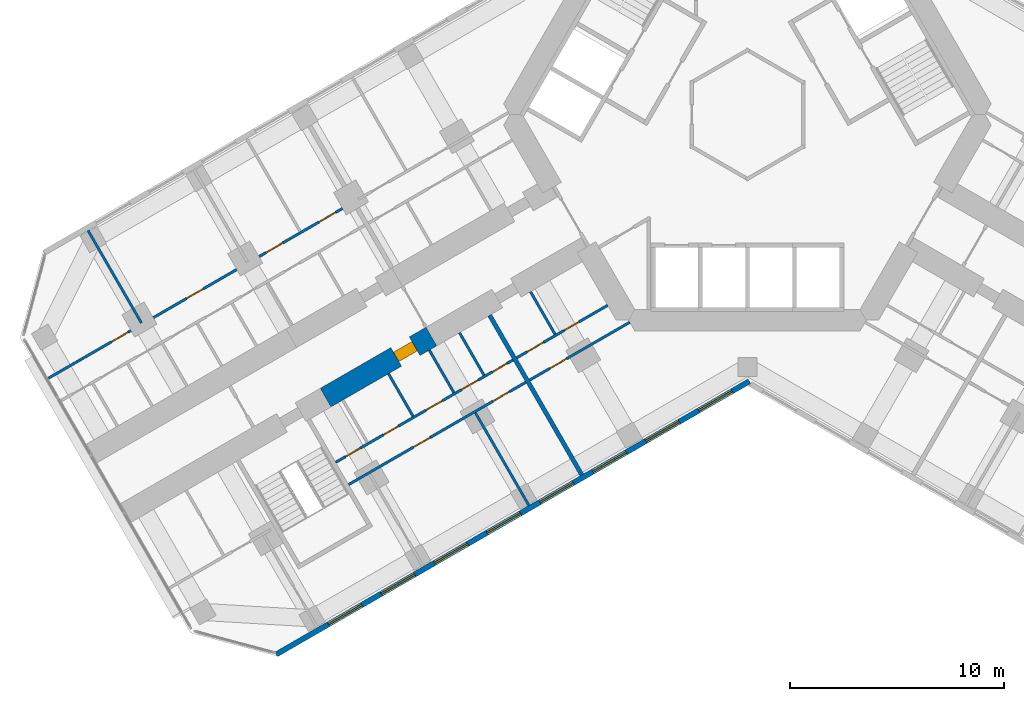
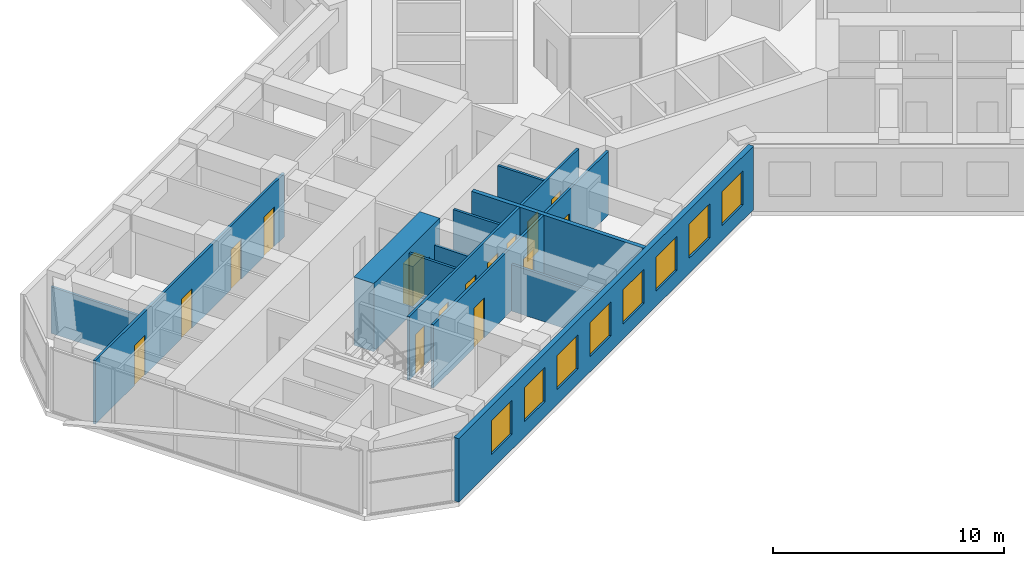
# One storey, part 11 of 21: 15 doors, 14 walls, 8 windows, 23 openings.
"""IFC4 building model written with IfcOpenShell, lengths in metres."""

from ifc_helpers import new_model, si_unit, direction, frame, frame_2d, origin, place, context, subcontext, project, spatial, rectangle, extrude, material, layer, layer_set, type_object, element, fill, save


model = new_model("IFC4")

# Units and contexts
model_context = context("Model", 3, precision=1e-05, world=origin(), true_north=direction((0.0, 1.0)))
body_context = subcontext(model_context, "Body", "Model", "MODEL_VIEW")
ifc_project = project(units=[si_unit("LENGTHUNIT", "METRE"), si_unit("AREAUNIT", "SQUARE_METRE"), si_unit("VOLUMEUNIT", "CUBIC_METRE"), si_unit("PLANEANGLEUNIT", "RADIAN"), si_unit("MASSUNIT", "GRAM", prefix="KILO")], contexts=[model_context])

# Site, building, storey
site_placement = place(None, origin())
site = spatial("IfcSite", under=ifc_project, at=site_placement, CompositionType="ELEMENT")
building_placement = place(site_placement, origin())
building = spatial("IfcBuilding", under=site, at=building_placement, Name="Kosmar Iwan School Tower", CompositionType="ELEMENT")
storey_placement = place(building_placement, frame((0.0, 0.0, 84.39990234375)))
storey = spatial("IfcBuildingStorey", under=building, at=storey_placement, Name="L20", CompositionType="ELEMENT", Elevation=84.39990234375)

# Wall, opening, door
ifc_material_1 = material(Name="Concrete C50/60", Category="concrete")
ifc_layer_1 = layer(ifc_material_1, 1.0)
ifc_layer_set_1 = layer_set([ifc_layer_1], Name="Corridor buttress wall 1000")
wall_type_1 = type_object("IfcWallType", Name="Corridor buttress wall 1000", PredefinedType="SHEAR", material=ifc_layer_set_1)
wall_1_placement = place(storey_placement, frame((-14.7451171875, -10.360595703125, 0.0), z_axis=(0.0, 0.0, 1.0), x_axis=(-0.866015111908, -0.50001782563, 0.0)))
wall_1 = element("IfcWall", 1, at=wall_1_placement, inside=storey, type_object=wall_type_1, Name="Corridor wall BL bay 2", PredefinedType="SHEAR", context=body_context, shape_type="SweptSolid", body=[
    extrude(rectangle(XDim=5.699951171875, YDim=1.0, at=frame_2d((2.85009765625, 0.0))), origin(), (0.0, 0.0, 1.0), 3.60009765625),
])
opening_1_placement = place(wall_1_placement, frame((0.89990234375, 0.0, 0.0)))
opening_1 = element("IfcOpeningElement", 2, at=opening_1_placement, cuts=wall_1, Name="Opening D1", PredefinedType="OPENING", context=body_context, shape_type="SweptSolid", body=[
    extrude(rectangle(XDim=1.0, YDim=2.10009765625, at=frame_2d((0.5, 1.050048828125))), frame((0.0, 0.511962890625, 0.0), z_axis=(0.0, -1.0, 0.0), x_axis=(1.0, 0.0, 0.0)), (0.0, 0.0, 1.0), 1.02392578125),
])
ifc_material_2 = material(Name="Timber fire door in steel frame", Category="steel")
door_type_1 = type_object("IfcDoorType", Name="Flat entrance door 1000x2100", OperationType="SINGLE_SWING_LEFT", PredefinedType="DOOR", material=ifc_material_2)
door_1_placement = place(opening_1_placement, origin())
door_1 = element("IfcDoor", 3, at=door_1_placement, inside=storey, type_object=door_type_1, Name="Flat L20-BL2 entrance door", OperationType="SINGLE_SWING_LEFT", OverallHeight=2.10009765625, OverallWidth=1.0, PredefinedType="DOOR", context=body_context, shape_type="SweptSolid", body=[
    extrude(rectangle(XDim=1.0, YDim=2.10009765625, at=frame_2d((0.5, 1.050048828125))), frame((0.0, 0.25, 0.0), z_axis=(0.0, -1.0, 0.0), x_axis=(1.0, 0.0, 0.0)), (0.0, 0.0, 1.0), 0.5),
])
fill(opening_1, door_1)

# Wall, openings, doors
ifc_material_3 = material(Name="Gypsum board on steel studs", Category="steel")
ifc_layer_2 = layer(ifc_material_3, 0.1201171875)
ifc_layer_set_2 = layer_set([ifc_layer_2], Name="Dwelling partition 120")
wall_type_2 = type_object("IfcWallType", Name="Dwelling partition 120", PredefinedType="PARTITIONING", material=ifc_layer_set_2)
wall_2_placement = place(storey_placement, frame((-6.521728515625, -8.90380859375, 0.0), z_axis=(0.0, 0.0, 1.0), x_axis=(-0.866036242063, -0.49998122708, 0.0)))
wall_2 = element("IfcWall", 4, at=wall_2_placement, inside=storey, type_object=wall_type_2, Name="Partition L20-BL1-W1", PredefinedType="PARTITIONING", context=body_context, shape_type="SweptSolid", body=[
    extrude(rectangle(XDim=4.900146484375, YDim=0.1201171875, at=frame_2d((2.4501953125, 0.0))), origin(), (0.0, 0.0, 1.0), 3.35009765625),
])
opening_2_placement = place(wall_2_placement, frame((1.550048828125, 0.0, 0.0)))
opening_2 = element("IfcOpeningElement", 5, at=opening_2_placement, cuts=wall_2, Name="Opening D3", PredefinedType="OPENING", context=body_context, shape_type="SweptSolid", body=[
    extrude(rectangle(XDim=0.800048828125, YDim=2.10009765625, at=frame_2d((0.39990234375, 1.050048828125))), frame((0.0, 0.072021484375, 0.0), z_axis=(0.0, -1.0, 0.0), x_axis=(1.0, 0.0, 0.0)), (0.0, 0.0, 1.0), 0.14404296875),
])
opening_3_placement = place(wall_2_placement, frame((3.449951171875, 0.0, 0.0)))
opening_3 = element("IfcOpeningElement", 6, at=opening_3_placement, cuts=wall_2, Name="Opening D2", PredefinedType="OPENING", context=body_context, shape_type="SweptSolid", body=[
    extrude(rectangle(XDim=0.89990234375, YDim=2.10009765625, at=frame_2d((0.449951171875, 1.050048828125))), frame((0.0, 0.072021484375, 0.0), z_axis=(0.0, -1.0, 0.0), x_axis=(1.0, 0.0, 0.0)), (0.0, 0.0, 1.0), 0.14404296875),
])
ifc_material_4 = material(Name="Timber door in timber frame", Category="wood")
door_type_2 = type_object("IfcDoorType", Name="Internal door 900x2100", OperationType="SINGLE_SWING_LEFT", PredefinedType="DOOR", material=ifc_material_4)
door_2_placement = place(opening_3_placement, origin())
door_2 = element("IfcDoor", 7, at=door_2_placement, inside=storey, type_object=door_type_2, Name="Entrance hall door L20-BL1-S2", OperationType="SINGLE_SWING_RIGHT", OverallHeight=2.10009765625, OverallWidth=0.89990234375, PredefinedType="DOOR", context=body_context, shape_type="SweptSolid", body=[
    extrude(rectangle(XDim=0.89990234375, YDim=2.10009765625, at=frame_2d((0.449951171875, 1.050048828125))), frame((0.0, 0.02490234375, 0.0), z_axis=(0.0, -1.0, 0.0), x_axis=(1.0, 0.0, 0.0)), (0.0, 0.0, 1.0), 0.050048828125),
])
fill(opening_3, door_2)
ifc_material_5 = material(Name="Timber door in timber frame", Category="wood")
door_type_3 = type_object("IfcDoorType", Name="Sanitary room door 800x2100", OperationType="SINGLE_SWING_LEFT", PredefinedType="DOOR", material=ifc_material_5)
door_3_placement = place(opening_2_placement, origin())
door_3 = element("IfcDoor", 8, at=door_3_placement, inside=storey, type_object=door_type_3, Name="Bathroom door L20-BL1-S1", OperationType="SINGLE_SWING_LEFT", OverallHeight=2.10009765625, OverallWidth=0.800048828125, PredefinedType="DOOR", context=body_context, shape_type="SweptSolid", body=[
    extrude(rectangle(XDim=0.800048828125, YDim=2.10009765625, at=frame_2d((0.39990234375, 1.050048828125))), frame((0.0, 0.02490234375, 0.0), z_axis=(0.0, -1.0, 0.0), x_axis=(1.0, 0.0, 0.0)), (0.0, 0.0, 1.0), 0.050048828125),
])
fill(opening_2, door_3)

# Wall, opening, door
wall_3_placement = place(storey_placement, frame((-5.48876953125, -9.693115234375, 0.0), z_axis=(0.0, 0.0, 1.0), x_axis=(-0.866028230842, -0.499995103361, 0.0)))
wall_3 = element("IfcWall", 9, at=wall_3_placement, inside=storey, type_object=wall_type_2, Name="Partition L20-BL1-W2", PredefinedType="PARTITIONING", context=body_context, shape_type="SweptSolid", body=[
    extrude(rectangle(XDim=5.39990234375, YDim=0.1201171875, at=frame_2d((2.699951171875, 0.0))), origin(), (0.0, 0.0, 1.0), 3.35009765625),
])
opening_4_placement = place(wall_3_placement, frame((3.39990234375, 0.0, 0.0)))
opening_4 = element("IfcOpeningElement", 10, at=opening_4_placement, cuts=wall_3, Name="Opening D2", PredefinedType="OPENING", context=body_context, shape_type="SweptSolid", body=[
    extrude(rectangle(XDim=0.89990234375, YDim=2.10009765625, at=frame_2d((0.449951171875, 1.050048828125))), frame((0.0, 0.072021484375, 0.0), z_axis=(0.0, -1.0, 0.0), x_axis=(1.0, 0.0, 0.0)), (0.0, 0.0, 1.0), 0.14404296875),
])
door_4_placement = place(opening_4_placement, origin())
door_4 = element("IfcDoor", 11, at=door_4_placement, inside=storey, type_object=door_type_2, Name="Studio living room and kitchen door L20-BL1-F1", OperationType="SINGLE_SWING_RIGHT", OverallHeight=2.10009765625, OverallWidth=0.89990234375, PredefinedType="DOOR", context=body_context, shape_type="SweptSolid", body=[
    extrude(rectangle(XDim=0.89990234375, YDim=2.10009765625, at=frame_2d((0.449951171875, 1.050048828125))), frame((0.0, 0.02490234375, 0.0), z_axis=(0.0, -1.0, 0.0), x_axis=(1.0, 0.0, 0.0)), (0.0, 0.0, 1.0), 0.050048828125),
])
fill(opening_4, door_4)

# Wall
wall_4_placement = place(storey_placement, frame((-10.121826171875, -8.2685546875, 0.0), z_axis=(0.0, 0.0, 1.0), x_axis=(0.499968531483, -0.866043571379, 0.0)))
element("IfcWall", 12, at=wall_4_placement, inside=storey, type_object=wall_type_2, Name="Partition L20-BL1-Y1", PredefinedType="PARTITIONING", context=body_context, shape_type="SweptSolid", body=[
    extrude(rectangle(XDim=2.290283203125, YDim=0.1201171875, at=frame_2d((1.14501953125, 0.0))), origin(), (0.0, 0.0, 1.0), 3.35009765625),
])

# Wall, openings, doors
wall_5_placement = place(storey_placement, frame((-10.9384765625, -11.453857421875, 0.0), z_axis=(0.0, 0.0, 1.0), x_axis=(-0.866035311659, -0.499982838664, 0.0)))
wall_5 = element("IfcWall", 13, at=wall_5_placement, inside=storey, type_object=wall_type_2, Name="Partition L20-BL2-W1", PredefinedType="PARTITIONING", context=body_context, shape_type="SweptSolid", body=[
    extrude(rectangle(XDim=9.550048828125, YDim=0.1201171875, at=frame_2d((4.77490234375, 0.0))), origin(), (0.0, 0.0, 1.0), 3.35009765625),
])
opening_5_placement = place(wall_5_placement, frame((0.3125, 0.0, 0.0)))
opening_5 = element("IfcOpeningElement", 14, at=opening_5_placement, cuts=wall_5, Name="Opening D3", PredefinedType="OPENING", context=body_context, shape_type="SweptSolid", body=[
    extrude(rectangle(XDim=0.800048828125, YDim=2.10009765625, at=frame_2d((0.39990234375, 1.050048828125))), frame((0.0, 0.072021484375, 0.0), z_axis=(0.0, -1.0, 0.0), x_axis=(1.0, 0.0, 0.0)), (0.0, 0.0, 1.0), 0.14404296875),
])
opening_6_placement = place(wall_5_placement, frame((1.887451171875, 0.0, 0.0)))
opening_6 = element("IfcOpeningElement", 15, at=opening_6_placement, cuts=wall_5, Name="Opening D2", PredefinedType="OPENING", context=body_context, shape_type="SweptSolid", body=[
    extrude(rectangle(XDim=0.89990234375, YDim=2.10009765625, at=frame_2d((0.449951171875, 1.050048828125))), frame((0.0, 0.072021484375, 0.0), z_axis=(0.0, -1.0, 0.0), x_axis=(1.0, 0.0, 0.0)), (0.0, 0.0, 1.0), 0.14404296875),
])
opening_7_placement = place(wall_5_placement, frame((3.800048828125, 0.0, 0.0)))
opening_7 = element("IfcOpeningElement", 16, at=opening_7_placement, cuts=wall_5, Name="Opening D2", PredefinedType="OPENING", context=body_context, shape_type="SweptSolid", body=[
    extrude(rectangle(XDim=0.89990234375, YDim=2.10009765625, at=frame_2d((0.449951171875, 1.050048828125))), frame((0.0, 0.072021484375, 0.0), z_axis=(0.0, -1.0, 0.0), x_axis=(1.0, 0.0, 0.0)), (0.0, 0.0, 1.0), 0.14404296875),
])
opening_8_placement = place(wall_5_placement, frame((6.179931640625, 0.0, 0.0)))
opening_8 = element("IfcOpeningElement", 17, at=opening_8_placement, cuts=wall_5, Name="Opening D3", PredefinedType="OPENING", context=body_context, shape_type="SweptSolid", body=[
    extrude(rectangle(XDim=0.800048828125, YDim=2.10009765625, at=frame_2d((0.39990234375, 1.050048828125))), frame((0.0, 0.072021484375, 0.0), z_axis=(0.0, -1.0, 0.0), x_axis=(1.0, 0.0, 0.0)), (0.0, 0.0, 1.0), 0.14404296875),
])
opening_9_placement = place(wall_5_placement, frame((8.22998046875, 0.0, 0.0)))
opening_9 = element("IfcOpeningElement", 18, at=opening_9_placement, cuts=wall_5, Name="Opening D3", PredefinedType="OPENING", context=body_context, shape_type="SweptSolid", body=[
    extrude(rectangle(XDim=0.800048828125, YDim=2.10009765625, at=frame_2d((0.39990234375, 1.050048828125))), frame((0.0, 0.072021484375, 0.0), z_axis=(0.0, -1.0, 0.0), x_axis=(1.0, 0.0, 0.0)), (0.0, 0.0, 1.0), 0.14404296875),
])
door_5_placement = place(opening_6_placement, frame((0.89990234375, 0.0, 0.0), z_axis=(0.0, 0.0, 1.0), x_axis=(-1.0, 0.0, 0.0)))
door_5 = element("IfcDoor", 19, at=door_5_placement, inside=storey, type_object=door_type_2, Name="Pantry door L20-BL2-S2", OperationType="SINGLE_SWING_RIGHT", OverallHeight=2.10009765625, OverallWidth=0.89990234375, PredefinedType="DOOR", context=body_context, shape_type="SweptSolid", body=[
    extrude(rectangle(XDim=0.89990234375, YDim=2.10009765625, at=frame_2d((0.449951171875, 1.050048828125))), frame((0.0, 0.02490234375, 0.0), z_axis=(0.0, -1.0, 0.0), x_axis=(1.0, 0.0, 0.0)), (0.0, 0.0, 1.0), 0.050048828125),
])
fill(opening_6, door_5)
door_6_placement = place(opening_7_placement, origin())
door_6 = element("IfcDoor", 20, at=door_6_placement, inside=storey, type_object=door_type_2, Name="Entrance hall door L20-BL2-S3", OperationType="SINGLE_SWING_LEFT", OverallHeight=2.10009765625, OverallWidth=0.89990234375, PredefinedType="DOOR", context=body_context, shape_type="SweptSolid", body=[
    extrude(rectangle(XDim=0.89990234375, YDim=2.10009765625, at=frame_2d((0.449951171875, 1.050048828125))), frame((0.0, 0.02490234375, 0.0), z_axis=(0.0, -1.0, 0.0), x_axis=(1.0, 0.0, 0.0)), (0.0, 0.0, 1.0), 0.050048828125),
])
fill(opening_7, door_6)
door_7_placement = place(opening_5_placement, origin())
door_7 = element("IfcDoor", 21, at=door_7_placement, inside=storey, type_object=door_type_3, Name="Store door L20-BL2-S1", OperationType="SINGLE_SWING_LEFT", OverallHeight=2.10009765625, OverallWidth=0.800048828125, PredefinedType="DOOR", context=body_context, shape_type="SweptSolid", body=[
    extrude(rectangle(XDim=0.800048828125, YDim=2.10009765625, at=frame_2d((0.39990234375, 1.050048828125))), frame((0.0, 0.02490234375, 0.0), z_axis=(0.0, -1.0, 0.0), x_axis=(1.0, 0.0, 0.0)), (0.0, 0.0, 1.0), 0.050048828125),
])
fill(opening_5, door_7)
door_8_placement = place(opening_8_placement, origin())
door_8 = element("IfcDoor", 22, at=door_8_placement, inside=storey, type_object=door_type_3, Name="Bathroom door L20-BL2-S4", OperationType="SINGLE_SWING_RIGHT", OverallHeight=2.10009765625, OverallWidth=0.800048828125, PredefinedType="DOOR", context=body_context, shape_type="SweptSolid", body=[
    extrude(rectangle(XDim=0.800048828125, YDim=2.10009765625, at=frame_2d((0.39990234375, 1.050048828125))), frame((0.0, 0.02490234375, 0.0), z_axis=(0.0, -1.0, 0.0), x_axis=(1.0, 0.0, 0.0)), (0.0, 0.0, 1.0), 0.050048828125),
])
fill(opening_8, door_8)
door_9_placement = place(opening_9_placement, origin())
door_9 = element("IfcDoor", 23, at=door_9_placement, inside=storey, type_object=door_type_3, Name="WC door L20-BL2-S5", OperationType="SINGLE_SWING_RIGHT", OverallHeight=2.10009765625, OverallWidth=0.800048828125, PredefinedType="DOOR", context=body_context, shape_type="SweptSolid", body=[
    extrude(rectangle(XDim=0.800048828125, YDim=2.10009765625, at=frame_2d((0.39990234375, 1.050048828125))), frame((0.0, 0.02490234375, 0.0), z_axis=(0.0, -1.0, 0.0), x_axis=(1.0, 0.0, 0.0)), (0.0, 0.0, 1.0), 0.050048828125),
])
fill(opening_9, door_9)

wall_6_placement = place(storey_placement, frame((-10.338623046875, -12.492919921875, 0.0), z_axis=(0.0, 0.0, 1.0), x_axis=(-0.866017851049, -0.500013081493, 0.0)))
wall_6 = element("IfcWall", 24, at=wall_6_placement, inside=storey, type_object=wall_type_2, Name="Partition L20-BL2-W2", PredefinedType="PARTITIONING", context=body_context, shape_type="SweptSolid", body=[
    extrude(rectangle(XDim=9.550048828125, YDim=0.1201171875, at=frame_2d((4.77490234375, 0.0))), origin(), (0.0, 0.0, 1.0), 3.35009765625),
])
opening_10_placement = place(wall_6_placement, frame((0.875, 0.0, 0.0)))
opening_10 = element("IfcOpeningElement", 25, at=opening_10_placement, cuts=wall_6, Name="Opening D2", PredefinedType="OPENING", context=body_context, shape_type="SweptSolid", body=[
    extrude(rectangle(XDim=0.89990234375, YDim=2.10009765625, at=frame_2d((0.449951171875, 1.050048828125))), frame((0.0, 0.072021484375, 0.0), z_axis=(0.0, -1.0, 0.0), x_axis=(1.0, 0.0, 0.0)), (0.0, 0.0, 1.0), 0.14404296875),
])
opening_11_placement = place(wall_6_placement, frame((5.14990234375, 0.0, 0.0)))
opening_11 = element("IfcOpeningElement", 26, at=opening_11_placement, cuts=wall_6, Name="Opening D2", PredefinedType="OPENING", context=body_context, shape_type="SweptSolid", body=[
    extrude(rectangle(XDim=0.89990234375, YDim=2.10009765625, at=frame_2d((0.449951171875, 1.050048828125))), frame((0.0, 0.072021484375, 0.0), z_axis=(0.0, -1.0, 0.0), x_axis=(1.0, 0.0, 0.0)), (0.0, 0.0, 1.0), 0.14404296875),
])
door_10_placement = place(opening_10_placement, origin())
door_10 = element("IfcDoor", 27, at=door_10_placement, inside=storey, type_object=door_type_2, Name="Bedroom 1 door L20-BL2-F1", OperationType="SINGLE_SWING_LEFT", OverallHeight=2.10009765625, OverallWidth=0.89990234375, PredefinedType="DOOR", context=body_context, shape_type="SweptSolid", body=[
    extrude(rectangle(XDim=0.89990234375, YDim=2.10009765625, at=frame_2d((0.449951171875, 1.050048828125))), frame((0.0, 0.02490234375, 0.0), z_axis=(0.0, -1.0, 0.0), x_axis=(1.0, 0.0, 0.0)), (0.0, 0.0, 1.0), 0.050048828125),
])
fill(opening_10, door_10)
door_11_placement = place(opening_11_placement, origin())
door_11 = element("IfcDoor", 28, at=door_11_placement, inside=storey, type_object=door_type_2, Name="Living room and kitchen door L20-BL2-F2", OperationType="SINGLE_SWING_RIGHT", OverallHeight=2.10009765625, OverallWidth=0.89990234375, PredefinedType="DOOR", context=body_context, shape_type="SweptSolid", body=[
    extrude(rectangle(XDim=0.89990234375, YDim=2.10009765625, at=frame_2d((0.449951171875, 1.050048828125))), frame((0.0, 0.02490234375, 0.0), z_axis=(0.0, -1.0, 0.0), x_axis=(1.0, 0.0, 0.0)), (0.0, 0.0, 1.0), 0.050048828125),
])
fill(opening_11, door_11)

# Walls
wall_7_placement = place(storey_placement, frame((-12.690185546875, -13.919921875, 0.0), z_axis=(0.0, 0.0, 1.0), x_axis=(0.500011847778, -0.866018563358, 0.0)))
element("IfcWall", 29, at=wall_7_placement, inside=storey, type_object=wall_type_2, Name="Partition L20-BL2-X1", PredefinedType="PARTITIONING", context=body_context, shape_type="SweptSolid", body=[
    extrude(rectangle(XDim=4.990234375, YDim=0.1201171875, at=frame_2d((2.4951171875, 0.0))), origin(), (0.0, 0.0, 1.0), 2.4501953125),
])
wall_8_placement = place(storey_placement, frame((-13.434326171875, -10.18115234375, 0.0), z_axis=(0.0, 0.0, 1.0), x_axis=(0.500014693593, -0.866016920268, 0.0)))
element("IfcWall", 30, at=wall_8_placement, inside=storey, type_object=wall_type_2, Name="Partition L20-BL2-Y1", PredefinedType="PARTITIONING", context=body_context, shape_type="SweptSolid", body=[
    extrude(rectangle(XDim=2.2900390625, YDim=0.1201171875, at=frame_2d((1.14501953125, 0.0))), origin(), (0.0, 0.0, 1.0), 3.35009765625),
])
wall_9_placement = place(storey_placement, frame((-14.841552734375, -10.99365234375, 0.0), z_axis=(0.0, 0.0, 1.0), x_axis=(0.500014693593, -0.866016920268, 0.0)))
element("IfcWall", 31, at=wall_9_placement, inside=storey, type_object=wall_type_2, Name="Partition L20-BL2-Y2", PredefinedType="PARTITIONING", context=body_context, shape_type="SweptSolid", body=[
    extrude(rectangle(XDim=2.2900390625, YDim=0.1201171875, at=frame_2d((1.14501953125, 0.0))), origin(), (0.0, 0.0, 1.0), 2.4501953125),
])
wall_10_placement = place(storey_placement, frame((-16.746826171875, -12.09375, 0.0), z_axis=(0.0, 0.0, 1.0), x_axis=(0.500014693593, -0.866016920268, 0.0)))
element("IfcWall", 32, at=wall_10_placement, inside=storey, type_object=wall_type_2, Name="Partition L20-BL2-Y3", PredefinedType="PARTITIONING", context=body_context, shape_type="SweptSolid", body=[
    extrude(rectangle(XDim=2.2900390625, YDim=0.1201171875, at=frame_2d((1.14501953125, 0.0))), origin(), (0.0, 0.0, 1.0), 3.35009765625),
])

# Wall, openings, doors
wall_11_placement = place(storey_placement, frame((-18.456787109375, -4.1318359375, 0.0), z_axis=(0.0, 0.0, 1.0), x_axis=(-0.866023907196, -0.500002592159, 0.0)))
wall_11 = element("IfcWall", 33, at=wall_11_placement, inside=storey, type_object=wall_type_2, Name="Partition L20-BR2-W2", PredefinedType="PARTITIONING", context=body_context, shape_type="SweptSolid", body=[
    extrude(rectangle(XDim=16.34521484375, YDim=0.1201171875, at=frame_2d((8.172607421875, 0.0))), origin(), (0.0, 0.0, 1.0), 3.35009765625),
])
opening_12_placement = place(wall_11_placement, frame((0.875, 0.0, 0.0)))
opening_12 = element("IfcOpeningElement", 34, at=opening_12_placement, cuts=wall_11, Name="Opening D2", PredefinedType="OPENING", context=body_context, shape_type="SweptSolid", body=[
    extrude(rectangle(XDim=0.89990234375, YDim=2.10009765625, at=frame_2d((0.449951171875, 1.050048828125))), frame((0.0, 0.072021484375, 0.0), z_axis=(0.0, -1.0, 0.0), x_axis=(1.0, 0.0, 0.0)), (0.0, 0.0, 1.0), 0.14404296875),
])
opening_13_placement = place(wall_11_placement, frame((3.72509765625, 0.0, 0.0)))
opening_13 = element("IfcOpeningElement", 35, at=opening_13_placement, cuts=wall_11, Name="Opening D2", PredefinedType="OPENING", context=body_context, shape_type="SweptSolid", body=[
    extrude(rectangle(XDim=0.89990234375, YDim=2.10009765625, at=frame_2d((0.449951171875, 1.050048828125))), frame((0.0, 0.072021484375, 0.0), z_axis=(0.0, -1.0, 0.0), x_axis=(1.0, 0.0, 0.0)), (0.0, 0.0, 1.0), 0.14404296875),
])
opening_14_placement = place(wall_11_placement, frame((8.0, 0.0, 0.0)))
opening_14 = element("IfcOpeningElement", 36, at=opening_14_placement, cuts=wall_11, Name="Opening D2", PredefinedType="OPENING", context=body_context, shape_type="SweptSolid", body=[
    extrude(rectangle(XDim=0.89990234375, YDim=2.10009765625, at=frame_2d((0.449951171875, 1.050048828125))), frame((0.0, 0.072021484375, 0.0), z_axis=(0.0, -1.0, 0.0), x_axis=(1.0, 0.0, 0.0)), (0.0, 0.0, 1.0), 0.14404296875),
])
opening_15_placement = place(wall_11_placement, frame((12.050048828125, 0.0, 0.0)))
opening_15 = element("IfcOpeningElement", 37, at=opening_15_placement, cuts=wall_11, Name="Opening D2", PredefinedType="OPENING", context=body_context, shape_type="SweptSolid", body=[
    extrude(rectangle(XDim=0.89990234375, YDim=2.10009765625, at=frame_2d((0.449951171875, 1.050048828125))), frame((0.0, 0.072021484375, 0.0), z_axis=(0.0, -1.0, 0.0), x_axis=(1.0, 0.0, 0.0)), (0.0, 0.0, 1.0), 0.14404296875),
])
door_12_placement = place(opening_12_placement, origin())
door_12 = element("IfcDoor", 38, at=door_12_placement, inside=storey, type_object=door_type_2, Name="Bedroom 1 door L20-BR2-F1", OperationType="SINGLE_SWING_LEFT", OverallHeight=2.10009765625, OverallWidth=0.89990234375, PredefinedType="DOOR", context=body_context, shape_type="SweptSolid", body=[
    extrude(rectangle(XDim=0.89990234375, YDim=2.10009765625, at=frame_2d((0.449951171875, 1.050048828125))), frame((0.0, 0.02490234375, 0.0), z_axis=(0.0, -1.0, 0.0), x_axis=(1.0, 0.0, 0.0)), (0.0, 0.0, 1.0), 0.050048828125),
])
fill(opening_12, door_12)
door_13_placement = place(opening_13_placement, origin())
door_13 = element("IfcDoor", 39, at=door_13_placement, inside=storey, type_object=door_type_2, Name="Bedroom 2 door L20-BR2-F2", OperationType="SINGLE_SWING_LEFT", OverallHeight=2.10009765625, OverallWidth=0.89990234375, PredefinedType="DOOR", context=body_context, shape_type="SweptSolid", body=[
    extrude(rectangle(XDim=0.89990234375, YDim=2.10009765625, at=frame_2d((0.449951171875, 1.050048828125))), frame((0.0, 0.02490234375, 0.0), z_axis=(0.0, -1.0, 0.0), x_axis=(1.0, 0.0, 0.0)), (0.0, 0.0, 1.0), 0.050048828125),
])
fill(opening_13, door_13)
door_14_placement = place(opening_14_placement, origin())
door_14 = element("IfcDoor", 40, at=door_14_placement, inside=storey, type_object=door_type_2, Name="Living room and kitchen door L20-BR2-F3", OperationType="SINGLE_SWING_RIGHT", OverallHeight=2.10009765625, OverallWidth=0.89990234375, PredefinedType="DOOR", context=body_context, shape_type="SweptSolid", body=[
    extrude(rectangle(XDim=0.89990234375, YDim=2.10009765625, at=frame_2d((0.449951171875, 1.050048828125))), frame((0.0, 0.02490234375, 0.0), z_axis=(0.0, -1.0, 0.0), x_axis=(1.0, 0.0, 0.0)), (0.0, 0.0, 1.0), 0.050048828125),
])
fill(opening_14, door_14)
door_15_placement = place(opening_15_placement, origin())
door_15 = element("IfcDoor", 41, at=door_15_placement, inside=storey, type_object=door_type_2, Name="Bedroom 3 door L20-BR2-F4", OperationType="SINGLE_SWING_RIGHT", OverallHeight=2.10009765625, OverallWidth=0.89990234375, PredefinedType="DOOR", context=body_context, shape_type="SweptSolid", body=[
    extrude(rectangle(XDim=0.89990234375, YDim=2.10009765625, at=frame_2d((0.449951171875, 1.050048828125))), frame((0.0, 0.02490234375, 0.0), z_axis=(0.0, -1.0, 0.0), x_axis=(1.0, 0.0, 0.0)), (0.0, 0.0, 1.0), 0.050048828125),
])
fill(opening_15, door_15)

# Wall
wall_12_placement = place(storey_placement, frame((-28.27294921875, -9.72998046875, 0.0), z_axis=(0.0, 0.0, 1.0), x_axis=(-0.499975153383, 0.86603974851, 0.0)))
element("IfcWall", 42, at=wall_12_placement, inside=storey, type_object=wall_type_2, Name="Partition L20-BR2-X3", PredefinedType="PARTITIONING", context=body_context, shape_type="SweptSolid", body=[
    extrude(rectangle(XDim=4.989990234375, YDim=0.1201171875, at=frame_2d((2.4951171875, 0.0))), origin(), (0.0, 0.0, 1.0), 2.4501953125),
])

# Wall, openings, windows
ifc_material_6 = material(Name="Black aluminium rainscreen on insulated framing", Category="aluminium")
ifc_layer_3 = layer(ifc_material_6, 0.25)
ifc_layer_set_3 = layer_set([ifc_layer_3], Name="External wall rainscreen 250")
wall_type_3 = type_object("IfcWallType", Name="External wall rainscreen 250", PredefinedType="SOLIDWALL", material=ifc_layer_set_3)
wall_13_placement = place(storey_placement, frame((0.088134765625, -12.44873046875, 0.0), z_axis=(0.0, 0.0, 1.0), x_axis=(-0.866026390279, -0.499998291337, 0.0)))
wall_13 = element("IfcWall", 43, at=wall_13_placement, inside=storey, type_object=wall_type_3, Name="External wall BL L20", PredefinedType="SOLIDWALL", context=body_context, shape_type="SweptSolid", body=[
    extrude(rectangle(XDim=25.4873046875, YDim=0.25, at=frame_2d((12.74365234375, 0.0))), origin(), (0.0, 0.0, 1.0), 3.35009765625),
])
opening_16_placement = place(wall_13_placement, frame((0.927001953125, 0.0, 0.800048828125)))
opening_16 = element("IfcOpeningElement", 44, at=opening_16_placement, cuts=wall_13, Name="Opening W1", PredefinedType="OPENING", context=body_context, shape_type="SweptSolid", body=[
    extrude(rectangle(XDim=1.800048828125, YDim=1.800048828125, at=frame_2d((0.89990234375, 0.89990234375))), frame((0.0, 0.136962890625, 0.0), z_axis=(0.0, -1.0, 0.0), x_axis=(1.0, 0.0, 0.0)), (0.0, 0.0, 1.0), 0.27392578125),
])
opening_17_placement = place(wall_13_placement, frame((3.777099609375, 0.0, 0.800048828125)))
opening_17 = element("IfcOpeningElement", 45, at=opening_17_placement, cuts=wall_13, Name="Opening W1", PredefinedType="OPENING", context=body_context, shape_type="SweptSolid", body=[
    extrude(rectangle(XDim=1.800048828125, YDim=1.800048828125, at=frame_2d((0.89990234375, 0.89990234375))), frame((0.0, 0.136962890625, 0.0), z_axis=(0.0, -1.0, 0.0), x_axis=(1.0, 0.0, 0.0)), (0.0, 0.0, 1.0), 0.27392578125),
])
opening_18_placement = place(wall_13_placement, frame((6.626953125, 0.0, 0.800048828125)))
opening_18 = element("IfcOpeningElement", 46, at=opening_18_placement, cuts=wall_13, Name="Opening W1", PredefinedType="OPENING", context=body_context, shape_type="SweptSolid", body=[
    extrude(rectangle(XDim=1.800048828125, YDim=1.800048828125, at=frame_2d((0.89990234375, 0.89990234375))), frame((0.0, 0.136962890625, 0.0), z_axis=(0.0, -1.0, 0.0), x_axis=(1.0, 0.0, 0.0)), (0.0, 0.0, 1.0), 0.27392578125),
])
opening_19_placement = place(wall_13_placement, frame((9.47705078125, 0.0, 0.800048828125)))
opening_19 = element("IfcOpeningElement", 47, at=opening_19_placement, cuts=wall_13, Name="Opening W1", PredefinedType="OPENING", context=body_context, shape_type="SweptSolid", body=[
    extrude(rectangle(XDim=1.800048828125, YDim=1.800048828125, at=frame_2d((0.89990234375, 0.89990234375))), frame((0.0, 0.136962890625, 0.0), z_axis=(0.0, -1.0, 0.0), x_axis=(1.0, 0.0, 0.0)), (0.0, 0.0, 1.0), 0.27392578125),
])
opening_20_placement = place(wall_13_placement, frame((12.326904296875, 0.0, 0.800048828125)))
opening_20 = element("IfcOpeningElement", 48, at=opening_20_placement, cuts=wall_13, Name="Opening W1", PredefinedType="OPENING", context=body_context, shape_type="SweptSolid", body=[
    extrude(rectangle(XDim=1.800048828125, YDim=1.800048828125, at=frame_2d((0.89990234375, 0.89990234375))), frame((0.0, 0.136962890625, 0.0), z_axis=(0.0, -1.0, 0.0), x_axis=(1.0, 0.0, 0.0)), (0.0, 0.0, 1.0), 0.27392578125),
])
opening_21_placement = place(wall_13_placement, frame((15.177001953125, 0.0, 0.800048828125)))
opening_21 = element("IfcOpeningElement", 49, at=opening_21_placement, cuts=wall_13, Name="Opening W1", PredefinedType="OPENING", context=body_context, shape_type="SweptSolid", body=[
    extrude(rectangle(XDim=1.800048828125, YDim=1.800048828125, at=frame_2d((0.89990234375, 0.89990234375))), frame((0.0, 0.136962890625, 0.0), z_axis=(0.0, -1.0, 0.0), x_axis=(1.0, 0.0, 0.0)), (0.0, 0.0, 1.0), 0.27392578125),
])
opening_22_placement = place(wall_13_placement, frame((18.027099609375, 0.0, 0.800048828125)))
opening_22 = element("IfcOpeningElement", 50, at=opening_22_placement, cuts=wall_13, Name="Opening W1", PredefinedType="OPENING", context=body_context, shape_type="SweptSolid", body=[
    extrude(rectangle(XDim=1.800048828125, YDim=1.800048828125, at=frame_2d((0.89990234375, 0.89990234375))), frame((0.0, 0.136962890625, 0.0), z_axis=(0.0, -1.0, 0.0), x_axis=(1.0, 0.0, 0.0)), (0.0, 0.0, 1.0), 0.27392578125),
])
opening_23_placement = place(wall_13_placement, frame((20.876953125, 0.0, 0.800048828125)))
opening_23 = element("IfcOpeningElement", 51, at=opening_23_placement, cuts=wall_13, Name="Opening W1", PredefinedType="OPENING", context=body_context, shape_type="SweptSolid", body=[
    extrude(rectangle(XDim=1.800048828125, YDim=1.800048828125, at=frame_2d((0.89990234375, 0.89990234375))), frame((0.0, 0.136962890625, 0.0), z_axis=(0.0, -1.0, 0.0), x_axis=(1.0, 0.0, 0.0)), (0.0, 0.0, 1.0), 0.27392578125),
])
ifc_material_7 = material(Name="Black aluminium frame with dark triple glazing", Category="aluminium")
window_type = type_object("IfcWindowType", Name="Window 1800x1800", PartitioningType="SINGLE_PANEL", PredefinedType="WINDOW", material=ifc_material_7)
window_1_placement = place(opening_16_placement, origin())
window_1 = element("IfcWindow", 52, at=window_1_placement, inside=storey, type_object=window_type, Name="Window BL L20 -1", OverallHeight=1.800048828125, OverallWidth=1.800048828125, PartitioningType="SINGLE_PANEL", PredefinedType="WINDOW", context=body_context, shape_type="SweptSolid", body=[
    extrude(rectangle(XDim=1.800048828125, YDim=1.800048828125, at=frame_2d((0.89990234375, 0.89990234375))), frame((0.0, 0.030029296875, 0.0), z_axis=(0.0, -1.0, 0.0), x_axis=(1.0, 0.0, 0.0)), (0.0, 0.0, 1.0), 0.06005859375),
])
fill(opening_16, window_1)
window_2_placement = place(opening_17_placement, origin())
window_2 = element("IfcWindow", 53, at=window_2_placement, inside=storey, type_object=window_type, Name="Window BL L20 0", OverallHeight=1.800048828125, OverallWidth=1.800048828125, PartitioningType="SINGLE_PANEL", PredefinedType="WINDOW", context=body_context, shape_type="SweptSolid", body=[
    extrude(rectangle(XDim=1.800048828125, YDim=1.800048828125, at=frame_2d((0.89990234375, 0.89990234375))), frame((0.0, 0.030029296875, 0.0), z_axis=(0.0, -1.0, 0.0), x_axis=(1.0, 0.0, 0.0)), (0.0, 0.0, 1.0), 0.06005859375),
])
fill(opening_17, window_2)
window_3_placement = place(opening_18_placement, origin())
window_3 = element("IfcWindow", 54, at=window_3_placement, inside=storey, type_object=window_type, Name="Window BL L20 1", OverallHeight=1.800048828125, OverallWidth=1.800048828125, PartitioningType="SINGLE_PANEL", PredefinedType="WINDOW", context=body_context, shape_type="SweptSolid", body=[
    extrude(rectangle(XDim=1.800048828125, YDim=1.800048828125, at=frame_2d((0.89990234375, 0.89990234375))), frame((0.0, 0.030029296875, 0.0), z_axis=(0.0, -1.0, 0.0), x_axis=(1.0, 0.0, 0.0)), (0.0, 0.0, 1.0), 0.06005859375),
])
fill(opening_18, window_3)
window_4_placement = place(opening_19_placement, origin())
window_4 = element("IfcWindow", 55, at=window_4_placement, inside=storey, type_object=window_type, Name="Window BL L20 2", OverallHeight=1.800048828125, OverallWidth=1.800048828125, PartitioningType="SINGLE_PANEL", PredefinedType="WINDOW", context=body_context, shape_type="SweptSolid", body=[
    extrude(rectangle(XDim=1.800048828125, YDim=1.800048828125, at=frame_2d((0.89990234375, 0.89990234375))), frame((0.0, 0.030029296875, 0.0), z_axis=(0.0, -1.0, 0.0), x_axis=(1.0, 0.0, 0.0)), (0.0, 0.0, 1.0), 0.06005859375),
])
fill(opening_19, window_4)
window_5_placement = place(opening_20_placement, origin())
window_5 = element("IfcWindow", 56, at=window_5_placement, inside=storey, type_object=window_type, Name="Window BL L20 3", OverallHeight=1.800048828125, OverallWidth=1.800048828125, PartitioningType="SINGLE_PANEL", PredefinedType="WINDOW", context=body_context, shape_type="SweptSolid", body=[
    extrude(rectangle(XDim=1.800048828125, YDim=1.800048828125, at=frame_2d((0.89990234375, 0.89990234375))), frame((0.0, 0.030029296875, 0.0), z_axis=(0.0, -1.0, 0.0), x_axis=(1.0, 0.0, 0.0)), (0.0, 0.0, 1.0), 0.06005859375),
])
fill(opening_20, window_5)
window_6_placement = place(opening_21_placement, origin())
window_6 = element("IfcWindow", 57, at=window_6_placement, inside=storey, type_object=window_type, Name="Window BL L20 4", OverallHeight=1.800048828125, OverallWidth=1.800048828125, PartitioningType="SINGLE_PANEL", PredefinedType="WINDOW", context=body_context, shape_type="SweptSolid", body=[
    extrude(rectangle(XDim=1.800048828125, YDim=1.800048828125, at=frame_2d((0.89990234375, 0.89990234375))), frame((0.0, 0.030029296875, 0.0), z_axis=(0.0, -1.0, 0.0), x_axis=(1.0, 0.0, 0.0)), (0.0, 0.0, 1.0), 0.06005859375),
])
fill(opening_21, window_6)
window_7_placement = place(opening_22_placement, origin())
window_7 = element("IfcWindow", 58, at=window_7_placement, inside=storey, type_object=window_type, Name="Window BL L20 5", OverallHeight=1.800048828125, OverallWidth=1.800048828125, PartitioningType="SINGLE_PANEL", PredefinedType="WINDOW", context=body_context, shape_type="SweptSolid", body=[
    extrude(rectangle(XDim=1.800048828125, YDim=1.800048828125, at=frame_2d((0.89990234375, 0.89990234375))), frame((0.0, 0.030029296875, 0.0), z_axis=(0.0, -1.0, 0.0), x_axis=(1.0, 0.0, 0.0)), (0.0, 0.0, 1.0), 0.06005859375),
])
fill(opening_22, window_7)
window_8_placement = place(opening_23_placement, origin())
window_8 = element("IfcWindow", 59, at=window_8_placement, inside=storey, type_object=window_type, Name="Window BL L20 6", OverallHeight=1.800048828125, OverallWidth=1.800048828125, PartitioningType="SINGLE_PANEL", PredefinedType="WINDOW", context=body_context, shape_type="SweptSolid", body=[
    extrude(rectangle(XDim=1.800048828125, YDim=1.800048828125, at=frame_2d((0.89990234375, 0.89990234375))), frame((0.0, 0.030029296875, 0.0), z_axis=(0.0, -1.0, 0.0), x_axis=(1.0, 0.0, 0.0)), (0.0, 0.0, 1.0), 0.06005859375),
])
fill(opening_23, window_8)

# Wall
ifc_material_8 = material(Name="Concrete block masonry", Category="masonry")
ifc_layer_4 = layer(ifc_material_8, 0.199951171875)
ifc_layer_set_4 = layer_set([ifc_layer_4], Name="Party wall 200")
wall_type_4 = type_object("IfcWallType", Name="Party wall 200", PredefinedType="PARTITIONING", material=ifc_layer_set_4)
wall_14_placement = place(storey_placement, frame((-12.027099609375, -9.36865234375, 0.0), z_axis=(0.0, 0.0, 1.0), x_axis=(0.500007509209, -0.866021068297, 0.0)))
element("IfcWall", 60, at=wall_14_placement, inside=storey, type_object=wall_type_4, Name="Partition L20-BL2-PW", PredefinedType="PARTITIONING", context=body_context, shape_type="SweptSolid", body=[
    extrude(rectangle(XDim=8.599853515625, YDim=0.199951171875, at=frame_2d((4.2998046875, 0.0))), origin(), (0.0, 0.0, 1.0), 3.35009765625),
])

save(model, "model.ifc")
